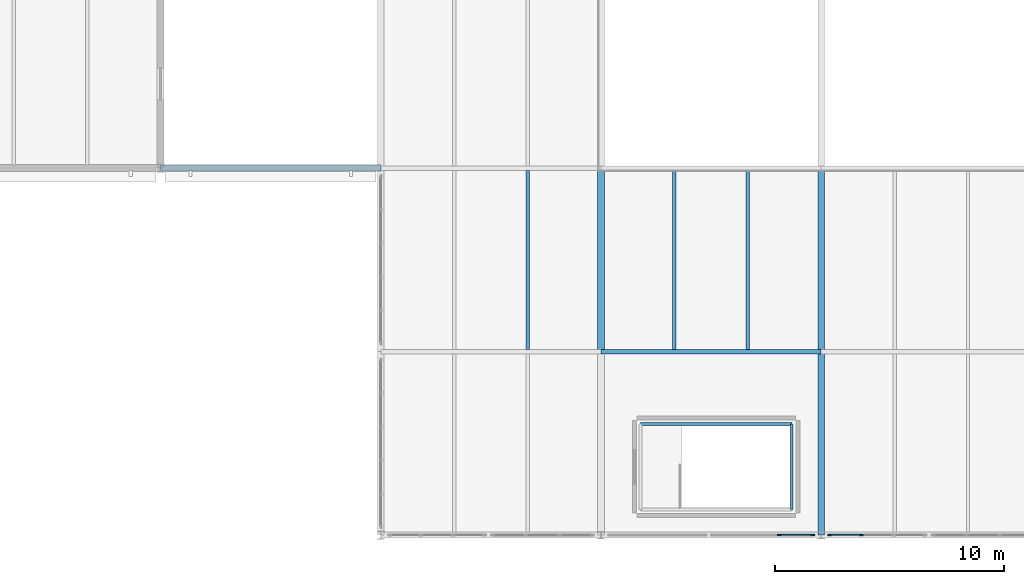
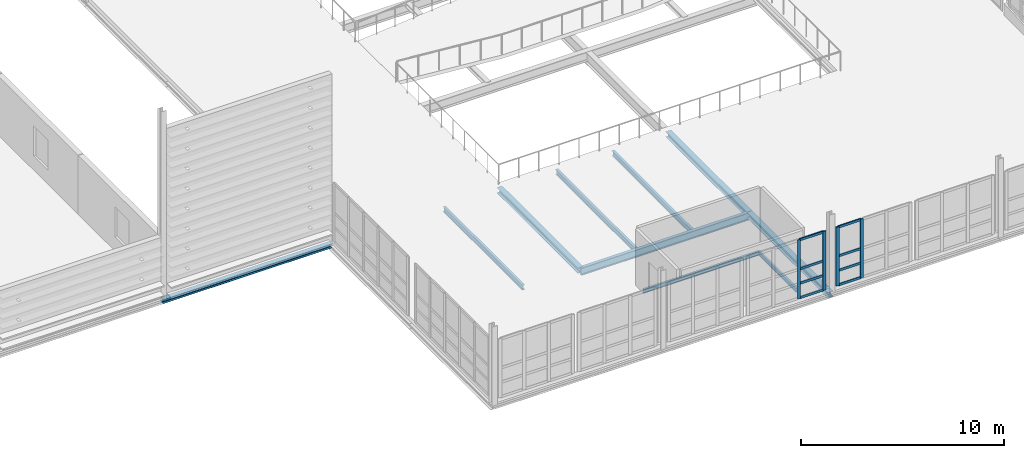
# One storey, part 25 of 73: 12 members, 10 beams, 2 elements without a shape of their own.
"""IFC4 building model written with IfcOpenShell, lengths in metres."""

from ifc_helpers import new_model, si_unit, direction, frame, origin, origin_2d, place, context, subcontext, project, spatial, rectangle, i_section, extrude, material, layer, layer_set, material_profile, profile_set, type_object, element, aggregate, save


model = new_model("IFC4")

# Units and contexts
model_context = context("Model", 3, precision=1e-05, world=origin(), true_north=direction((0.0, 1.0)))
body_context = subcontext(model_context, "Body", "Model", "MODEL_VIEW")
ifc_project = project(units=[si_unit("LENGTHUNIT", "METRE"), si_unit("AREAUNIT", "SQUARE_METRE"), si_unit("VOLUMEUNIT", "CUBIC_METRE"), si_unit("PLANEANGLEUNIT", "RADIAN"), si_unit("MASSUNIT", "GRAM", prefix="KILO")], contexts=[model_context])

# Site, building, storey
site_placement = place(None, origin())
site = spatial("IfcSite", under=ifc_project, at=site_placement, CompositionType="ELEMENT")
building_placement = place(site_placement, origin())
building = spatial("IfcBuilding", under=site, at=building_placement, Name="Alderhovde Museum", CompositionType="ELEMENT")
storey_placement = place(building_placement, frame((0.0, 0.0, 12.89990234375)))
storey = spatial("IfcBuildingStorey", under=building, at=storey_placement, Name="L03", CompositionType="ELEMENT", Elevation=12.89990234375)

# Beams
ifc_material_1 = material(Name="Steel S355J2", Category="steel")
ifc_material_profile_1 = material_profile(ifc_material_1, i_section(OverallWidth=0.300048828125, OverallDepth=0.330078125, WebThickness=0.009521484375, FlangeThickness=0.0166015625, FilletRadius=0.027099609375, at=origin_2d()), Name="HEA 340")
ifc_profile_set_1 = profile_set([ifc_material_profile_1], Name="Steel S355J2")
beam_type_1 = type_object("IfcBeamType", Name="BM-HEA340", PredefinedType="BEAM", material=ifc_profile_set_1)
for number, where, z_axis, x_axis, name in (
    (1, (86.39990234375, 40.0, -0.4248046875), (0.0, 1.0, 0.0), (-1.0, 0.0, 0.0), "L03 Grid Beam X=86.4 (40.0 TO 48.0)"),
    (2, (96.0, 32.0, -0.4248046875), (0.0, 1.0, 0.0), (-1.0, 0.0, 0.0), "L03 Grid Beam X=96.0 (32.0 TO 40.0)"),
    (3, (96.0, 40.0, -0.4248046875), (0.0, 1.0, 0.0), (-1.0, 0.0, 0.0), "L03 Grid Beam X=96.0 (40.0 TO 48.0)"),
):
    element("IfcBeam", number, at=place(storey_placement, frame(where, z_axis=z_axis, x_axis=x_axis)), inside=storey, type_object=beam_type_1, Name=name, PredefinedType="BEAM", context=body_context, shape_type="SweptSolid", body=[
        extrude(i_section(OverallWidth=0.300048828125, OverallDepth=0.330078125, WebThickness=0.009521484375, FlangeThickness=0.0166015625, FilletRadius=0.027099609375, at=origin_2d()), origin(), (0.0, 0.0, 1.0), 8.0),
    ])
ifc_material_2 = material(Name="Steel S355J2", Category="steel")
ifc_material_profile_2 = material_profile(ifc_material_2, i_section(OverallWidth=0.1201171875, OverallDepth=0.239990234375, WebThickness=0.006103515625, FlangeThickness=0.009765625, FilletRadius=0.014892578125, at=origin_2d()), Name="IPE 240")
ifc_profile_set_2 = profile_set([ifc_material_profile_2], Name="Steel S355J2")
beam_type_2 = type_object("IfcBeamType", Name="BM-IPE240", PredefinedType="BEAM", material=ifc_profile_set_2)
beam_1_placement = place(storey_placement, frame((88.1201171875, 36.840087890625, -0.3798828125), z_axis=(1.0, 0.0, 0.0), x_axis=(0.0, 1.0, 0.0)))
element("IfcBeam", 4, at=beam_1_placement, inside=storey, type_object=beam_type_2, Name="L03 Stair ST3 Floor Trimmer N", PredefinedType="BEAM", context=body_context, shape_type="SweptSolid", body=[
    extrude(i_section(OverallWidth=0.1201171875, OverallDepth=0.239990234375, WebThickness=0.006103515625, FlangeThickness=0.009765625, FilletRadius=0.014892578125, at=origin_2d()), origin(), (0.0, 0.0, 1.0), 6.599853515625),
])
beam_2_placement = place(storey_placement, frame((94.719970703125, 33.1201171875, -0.3798828125), z_axis=(0.0, 1.0, 0.0), x_axis=(-1.0, 0.0, 0.0)))
element("IfcBeam", 5, at=beam_2_placement, inside=storey, type_object=beam_type_2, Name="L03 Stair ST3 Floor Trimmer E", PredefinedType="BEAM", context=body_context, shape_type="SweptSolid", body=[
    extrude(i_section(OverallWidth=0.1201171875, OverallDepth=0.239990234375, WebThickness=0.006103515625, FlangeThickness=0.009765625, FilletRadius=0.014892578125, at=origin_2d()), origin(), (0.0, 0.0, 1.0), 3.719970703125),
])
ifc_material_3 = material(Name="Steel S355J2", Category="steel")
ifc_material_profile_3 = material_profile(ifc_material_3, i_section(OverallWidth=0.18994140625, OverallDepth=0.449951171875, WebThickness=0.009521484375, FlangeThickness=0.0146484375, FilletRadius=0.02099609375, at=origin_2d()), Name="IPE 450")
ifc_profile_set_3 = profile_set([ifc_material_profile_3], Name="Steel S355J2")
beam_type_3 = type_object("IfcBeamType", Name="BM-IPE450", PredefinedType="BEAM", material=ifc_profile_set_3)
beam_3_placement = place(storey_placement, frame((86.39990234375, 40.0, -0.48486328125), z_axis=(1.0, 0.0, 0.0), x_axis=(0.0, 1.0, 0.0)))
element("IfcBeam", 6, at=beam_3_placement, inside=storey, type_object=beam_type_3, Name="L03 Grid Beam Y=40.0 (86.4 TO 96.0)", PredefinedType="BEAM", context=body_context, shape_type="SweptSolid", body=[
    extrude(i_section(OverallWidth=0.18994140625, OverallDepth=0.449951171875, WebThickness=0.009521484375, FlangeThickness=0.0146484375, FilletRadius=0.02099609375, at=origin_2d()), origin(), (0.0, 0.0, 1.0), 9.60009765625),
])

# Curtain wall, members
ifc_material_4 = material(Name="Triple-Glazed Bronze-Anodised Curtain Wall", Category="glass")
ifc_layer_1 = layer(ifc_material_4, 0.179931640625)
ifc_layer_set_1 = layer_set([ifc_layer_1], Name="Triple-Glazed Bronze-Anodised Curtain Wall")
curtain_wall_type_1 = type_object("IfcCurtainWallType", Name="CW-UNIT-440x354", PredefinedType="USERDEFINED", material=ifc_layer_set_1)
curtain_wall_1_placement = place(storey_placement, origin())
curtain_wall_1 = element("IfcCurtainWall", 7, at=curtain_wall_1_placement, inside=storey, type_object=curtain_wall_type_1, Name="L03 Unitised Curtain Wall 59", ObjectType="UNITISED CURTAIN WALL", PredefinedType="USERDEFINED")
ifc_material_5 = material(Name="Bronze-Anodised Aluminium EN AW-6063-T6", Category="aluminium")
ifc_material_profile_4 = material_profile(ifc_material_5, rectangle(XDim=0.06494140625, YDim=0.179931640625, at=origin_2d()), Name="MULLION 65x180")
ifc_profile_set_4 = profile_set([ifc_material_profile_4], Name="Bronze-Anodised Aluminium EN AW-6063-T6")
member_type_1 = type_object("IfcMemberType", Name="CWM-65x180", PredefinedType="MULLION", material=ifc_profile_set_4)
member_1_placement = place(storey_placement, frame((94.183349609375, 32.0, 0.0), z_axis=(0.0, 0.0, 1.0), x_axis=(0.0, 1.0, 0.0)))
member_1 = element("IfcMember", 8, at=member_1_placement, type_object=member_type_1, Name="CW16 mullion 3", PredefinedType="MULLION", context=body_context, shape_type="SweptSolid", body=[
    extrude(rectangle(XDim=0.06494140625, YDim=0.179931640625, at=origin_2d()), origin(), (0.0, 0.0, 1.0), 3.5400390625),
])
member_2_placement = place(storey_placement, frame((95.617431640625, 32.0, 0.0), z_axis=(0.0, 0.0, 1.0), x_axis=(0.0, 1.0, 0.0)))
member_2 = element("IfcMember", 9, at=member_2_placement, type_object=member_type_1, Name="CW16 mullion 4", PredefinedType="MULLION", context=body_context, shape_type="SweptSolid", body=[
    extrude(rectangle(XDim=0.06494140625, YDim=0.179931640625, at=origin_2d()), origin(), (0.0, 0.0, 1.0), 3.5400390625),
])

ifc_material_6 = material(Name="Triple-Glazed Bronze-Anodised Curtain Wall", Category="glass")
ifc_layer_2 = layer(ifc_material_6, 0.179931640625)
ifc_layer_set_2 = layer_set([ifc_layer_2], Name="Triple-Glazed Bronze-Anodised Curtain Wall")
curtain_wall_type_2 = type_object("IfcCurtainWallType", Name="CW-UNIT-420x354", PredefinedType="USERDEFINED", material=ifc_layer_set_2)
curtain_wall_2_placement = place(storey_placement, origin())
curtain_wall_2 = element("IfcCurtainWall", 10, at=curtain_wall_2_placement, inside=storey, type_object=curtain_wall_type_2, Name="L03 Unitised Curtain Wall 60", ObjectType="UNITISED CURTAIN WALL", PredefinedType="USERDEFINED")
member_3_placement = place(storey_placement, frame((96.382568359375, 32.0, 0.0), z_axis=(0.0, 0.0, 1.0), x_axis=(0.0, 1.0, 0.0)))
member_3 = element("IfcMember", 11, at=member_3_placement, type_object=member_type_1, Name="CW15 mullion 1", PredefinedType="MULLION", context=body_context, shape_type="SweptSolid", body=[
    extrude(rectangle(XDim=0.06494140625, YDim=0.179931640625, at=origin_2d()), origin(), (0.0, 0.0, 1.0), 3.5400390625),
])
member_4_placement = place(storey_placement, frame((97.75, 32.0, 0.0), z_axis=(0.0, 0.0, 1.0), x_axis=(0.0, 1.0, 0.0)))
member_4 = element("IfcMember", 12, at=member_4_placement, type_object=member_type_1, Name="CW15 mullion 2", PredefinedType="MULLION", context=body_context, shape_type="SweptSolid", body=[
    extrude(rectangle(XDim=0.06494140625, YDim=0.179931640625, at=origin_2d()), origin(), (0.0, 0.0, 1.0), 3.5400390625),
])

# Member
ifc_material_7 = material(Name="Bronze-Anodised Aluminium EN AW-6063-T6", Category="aluminium")
ifc_material_profile_5 = material_profile(ifc_material_7, rectangle(XDim=0.06494140625, YDim=0.139892578125, at=origin_2d()), Name="TRANSOM 65x140")
ifc_profile_set_5 = profile_set([ifc_material_profile_5], Name="Bronze-Anodised Aluminium EN AW-6063-T6")
member_type_2 = type_object("IfcMemberType", Name="CWT-65x140", PredefinedType="USERDEFINED", material=ifc_profile_set_5)
member_5_placement = place(storey_placement, frame((94.2158203125, 32.0, 0.03271484375), z_axis=(1.0, 0.0, 0.0), x_axis=(0.0, 1.0, 0.0)))
member_5 = element("IfcMember", 13, at=member_5_placement, type_object=member_type_2, Name="CW16 transom 3.1", ObjectType="TRANSOM", PredefinedType="USERDEFINED", context=body_context, shape_type="SweptSolid", body=[
    extrude(rectangle(XDim=0.06494140625, YDim=0.139892578125, at=origin_2d()), origin(), (0.0, 0.0, 1.0), 1.369140625),
])

member_6_placement = place(storey_placement, frame((94.2158203125, 32.0, 0.900146484375), z_axis=(1.0, 0.0, 0.0), x_axis=(0.0, 1.0, 0.0)))
member_6 = element("IfcMember", 14, at=member_6_placement, type_object=member_type_2, Name="CW16 transom 3.2", ObjectType="TRANSOM", PredefinedType="USERDEFINED", context=body_context, shape_type="SweptSolid", body=[
    extrude(rectangle(XDim=0.06494140625, YDim=0.139892578125, at=origin_2d()), origin(), (0.0, 0.0, 1.0), 1.369140625),
])

member_7_placement = place(storey_placement, frame((94.2158203125, 32.0, 1.77001953125), z_axis=(1.0, 0.0, 0.0), x_axis=(0.0, 1.0, 0.0)))
member_7 = element("IfcMember", 15, at=member_7_placement, type_object=member_type_2, Name="CW16 transom 3.3", ObjectType="TRANSOM", PredefinedType="USERDEFINED", context=body_context, shape_type="SweptSolid", body=[
    extrude(rectangle(XDim=0.06494140625, YDim=0.139892578125, at=origin_2d()), origin(), (0.0, 0.0, 1.0), 1.369140625),
])

member_8_placement = place(storey_placement, frame((94.2158203125, 32.0, 3.507568359375), z_axis=(1.0, 0.0, 0.0), x_axis=(0.0, 1.0, 0.0)))
member_8 = element("IfcMember", 16, at=member_8_placement, type_object=member_type_2, Name="CW16 transom 3.4", ObjectType="TRANSOM", PredefinedType="USERDEFINED", context=body_context, shape_type="SweptSolid", body=[
    extrude(rectangle(XDim=0.06494140625, YDim=0.139892578125, at=origin_2d()), origin(), (0.0, 0.0, 1.0), 1.369140625),
])

aggregate(curtain_wall_1, [member_1, member_2, member_5, member_6, member_7, member_8])

member_9_placement = place(storey_placement, frame((96.4150390625, 32.0, 0.03271484375), z_axis=(1.0, 0.0, 0.0), x_axis=(0.0, 1.0, 0.0)))
member_9 = element("IfcMember", 17, at=member_9_placement, type_object=member_type_2, Name="CW15 transom 1.1", ObjectType="TRANSOM", PredefinedType="USERDEFINED", context=body_context, shape_type="SweptSolid", body=[
    extrude(rectangle(XDim=0.06494140625, YDim=0.139892578125, at=origin_2d()), origin(), (0.0, 0.0, 1.0), 1.302490234375),
])

member_10_placement = place(storey_placement, frame((96.4150390625, 32.0, 0.900146484375), z_axis=(1.0, 0.0, 0.0), x_axis=(0.0, 1.0, 0.0)))
member_10 = element("IfcMember", 18, at=member_10_placement, type_object=member_type_2, Name="CW15 transom 1.2", ObjectType="TRANSOM", PredefinedType="USERDEFINED", context=body_context, shape_type="SweptSolid", body=[
    extrude(rectangle(XDim=0.06494140625, YDim=0.139892578125, at=origin_2d()), origin(), (0.0, 0.0, 1.0), 1.302490234375),
])

member_11_placement = place(storey_placement, frame((96.4150390625, 32.0, 1.77001953125), z_axis=(1.0, 0.0, 0.0), x_axis=(0.0, 1.0, 0.0)))
member_11 = element("IfcMember", 19, at=member_11_placement, type_object=member_type_2, Name="CW15 transom 1.3", ObjectType="TRANSOM", PredefinedType="USERDEFINED", context=body_context, shape_type="SweptSolid", body=[
    extrude(rectangle(XDim=0.06494140625, YDim=0.139892578125, at=origin_2d()), origin(), (0.0, 0.0, 1.0), 1.302490234375),
])

member_12_placement = place(storey_placement, frame((96.4150390625, 32.0, 3.507568359375), z_axis=(1.0, 0.0, 0.0), x_axis=(0.0, 1.0, 0.0)))
member_12 = element("IfcMember", 20, at=member_12_placement, type_object=member_type_2, Name="CW15 transom 1.4", ObjectType="TRANSOM", PredefinedType="USERDEFINED", context=body_context, shape_type="SweptSolid", body=[
    extrude(rectangle(XDim=0.06494140625, YDim=0.139892578125, at=origin_2d()), origin(), (0.0, 0.0, 1.0), 1.302490234375),
])

aggregate(curtain_wall_2, [member_3, member_4, member_9, member_10, member_11, member_12])

# Beams
ifc_material_8 = material(Name="Steel S355J2", Category="steel")
ifc_material_profile_6 = material_profile(ifc_material_8, i_section(OverallWidth=0.14990234375, OverallDepth=0.300048828125, WebThickness=0.007080078125, FlangeThickness=0.0107421875, FilletRadius=0.014892578125, at=origin_2d()), Name="IPE 300")
ifc_profile_set_6 = profile_set([ifc_material_profile_6], Name="Steel S355J2")
beam_type_4 = type_object("IfcBeamType", Name="JST-IPE300", PredefinedType="JOIST", material=ifc_profile_set_6)
for number, where, z_axis, x_axis, name in (
    (21, (83.199951171875, 40.094970703125, -0.409912109375), (0.0, 1.0, 0.0), (-1.0, 0.0, 0.0), "L03 Composite Joist X=83.2 (40.0 TO 48.0)"),
    (22, (89.60009765625, 40.094970703125, -0.409912109375), (0.0, 1.0, 0.0), (-1.0, 0.0, 0.0), "L03 Composite Joist X=89.6 (40.0 TO 48.0)"),
    (23, (92.800048828125, 40.094970703125, -0.409912109375), (0.0, 1.0, 0.0), (-1.0, 0.0, 0.0), "L03 Composite Joist X=92.8 (40.0 TO 48.0)"),
):
    element("IfcBeam", number, at=place(storey_placement, frame(where, z_axis=z_axis, x_axis=x_axis)), inside=storey, type_object=beam_type_4, Name=name, PredefinedType="JOIST", context=body_context, shape_type="SweptSolid", body=[
        extrude(i_section(OverallWidth=0.14990234375, OverallDepth=0.300048828125, WebThickness=0.007080078125, FlangeThickness=0.0107421875, FilletRadius=0.014892578125, at=origin_2d()), origin(), (0.0, 0.0, 1.0), 7.81005859375),
    ])
ifc_material_9 = material(Name="Steel S355J2", Category="steel")
ifc_material_profile_7 = material_profile(ifc_material_9, i_section(OverallWidth=0.260009765625, OverallDepth=0.25, WebThickness=0.007568359375, FlangeThickness=0.012451171875, FilletRadius=0.02392578125, at=origin_2d()), Name="HEA 260")
ifc_profile_set_7 = profile_set([ifc_material_profile_7], Name="Steel S355J2")
beam_type_5 = type_object("IfcBeamType", Name="SPD-HEA260", PredefinedType="SPANDREL", material=ifc_profile_set_7)
beam_4_placement = place(storey_placement, frame((67.199951171875, 48.0, -0.385009765625), z_axis=(1.0, 0.0, 0.0), x_axis=(0.0, 1.0, 0.0)))
element("IfcBeam", 24, at=beam_4_placement, inside=storey, type_object=beam_type_5, Name="L03 Folded Wing Fascia Beam Y=48", PredefinedType="SPANDREL", context=body_context, shape_type="SweptSolid", body=[
    extrude(i_section(OverallWidth=0.260009765625, OverallDepth=0.25, WebThickness=0.007568359375, FlangeThickness=0.012451171875, FilletRadius=0.02392578125, at=origin_2d()), origin(), (0.0, 0.0, 1.0), 9.60009765625),
])

save(model, "model.ifc")
